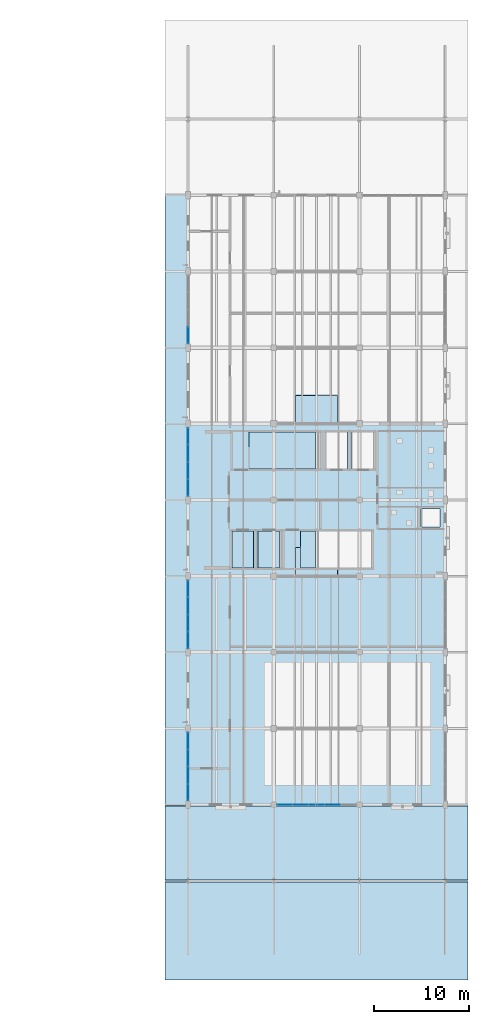
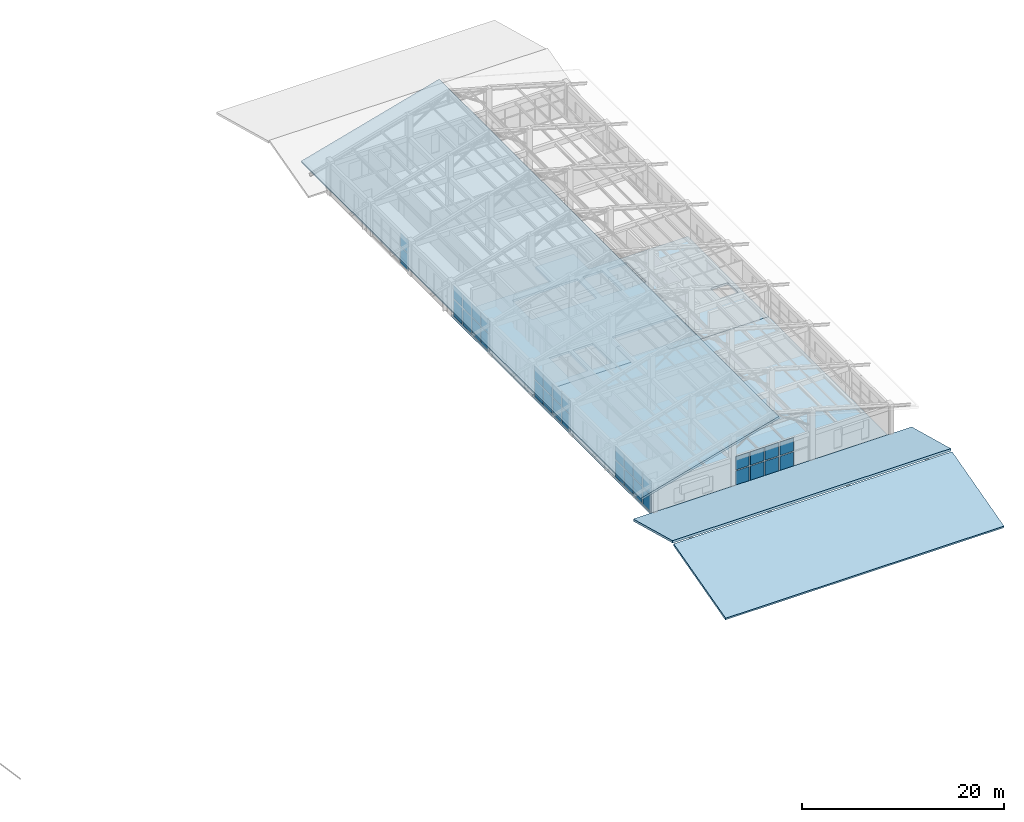
# One storey, part 44 of 58: 34 plates, 5 slabs, 7 elements without a shape of their own.
"""IFC4 building model written with IfcOpenShell, lengths in metres."""

from ifc_helpers import new_model, si_unit, derived_unit, direction, frame, origin, origin_2d, place, context, subcontext, project, spatial, polyline, rectangle, outline, extrude, material, layer, layer_set, type_object, element, aggregate, save


model = new_model("IFC4")

# Units and contexts
model_context = context("Model", 3, precision=1e-05, world=origin(), true_north=direction((0.0, 1.0)))
body_context = subcontext(model_context, "Body", "Model", "MODEL_VIEW")
ifc_project = project(units=[si_unit("LENGTHUNIT", "METRE"), si_unit("AREAUNIT", "SQUARE_METRE"), si_unit("VOLUMEUNIT", "CUBIC_METRE"), si_unit("PLANEANGLEUNIT", "RADIAN"), si_unit("MASSUNIT", "GRAM", prefix="KILO"), derived_unit("THERMALTRANSMITTANCEUNIT", [(si_unit("MASSUNIT", "GRAM", prefix="KILO"), 1), (si_unit("TIMEUNIT", "SECOND"), -3), (si_unit("THERMODYNAMICTEMPERATUREUNIT", "KELVIN"), -1)])], contexts=[model_context])

# Site, building, storey
site_placement = place(None, origin())
site = spatial("IfcSite", under=ifc_project, at=site_placement, CompositionType="ELEMENT")
building_placement = place(site_placement, origin())
building = spatial("IfcBuilding", under=site, at=building_placement, Name="Zhenchuan Archway Interchange", CompositionType="ELEMENT")
storey_placement = place(building_placement, frame((0.0, 0.0, 22.800048828125)))
storey = spatial("IfcBuildingStorey", under=building, at=storey_placement, Name="L05", CompositionType="ELEMENT", Elevation=22.800048828125)

# Curtain wall, plates
ifc_material_1 = material(Name="Anodised Aluminium", Category="aluminium")
curtain_wall_type_1 = type_object("IfcCurtainWallType", Name="CW_UNIT_1", PredefinedType="NOTDEFINED", material=ifc_material_1)
curtain_wall_1_placement = place(storey_placement, origin())
curtain_wall_1 = element("IfcCurtainWall", 1, at=curtain_wall_1_placement, inside=storey, type_object=curtain_wall_type_1, Name="Unitised curtain wall CW:L05:200", PredefinedType="NOTDEFINED")
ifc_material_2 = material(Name="Double Low-E Insulated Glazing", Category="glass")
ifc_layer_1 = layer(ifc_material_2, 0.028076171875)
ifc_layer_set_1 = layer_set([ifc_layer_1], Name="Double Low-E Insulated Glazing")
plate_type_1 = type_object("IfcPlateType", Name="CW_GLZ_1", PredefinedType="CURTAIN_PANEL", material=ifc_layer_set_1)
plate_1_placement = place(storey_placement, frame((159.19287109375, 24.0, 0.080078125), z_axis=(0.0, 0.0, 1.0), x_axis=(-1.0, 0.0, 0.0)))
plate_1 = element("IfcPlate", 2, at=plate_1_placement, type_object=plate_type_1, Name="CW:L05:200 lower glazing panel 1", PredefinedType="CURTAIN_PANEL", context=body_context, shape_type="SweptSolid", body=[
    extrude(rectangle(XDim=1.552734375, YDim=0.028076171875, at=origin_2d()), origin(), (0.0, 0.0, 1.0), 2.0048828125),
])
plate_2_placement = place(storey_placement, frame((157.5, 24.0, 0.080078125), z_axis=(0.0, 0.0, 1.0), x_axis=(-1.0, 0.0, 0.0)))
plate_2 = element("IfcPlate", 3, at=plate_2_placement, type_object=plate_type_1, Name="CW:L05:200 lower glazing panel 2", PredefinedType="CURTAIN_PANEL", context=body_context, shape_type="SweptSolid", body=[
    extrude(rectangle(XDim=1.552734375, YDim=0.028076171875, at=origin_2d()), origin(), (0.0, 0.0, 1.0), 2.0048828125),
])
plate_3_placement = place(storey_placement, frame((155.80712890625, 24.0, 0.080078125), z_axis=(0.0, 0.0, 1.0), x_axis=(-1.0, 0.0, 0.0)))
plate_3 = element("IfcPlate", 4, at=plate_3_placement, type_object=plate_type_1, Name="CW:L05:200 lower glazing panel 3", PredefinedType="CURTAIN_PANEL", context=body_context, shape_type="SweptSolid", body=[
    extrude(rectangle(XDim=1.552734375, YDim=0.028076171875, at=origin_2d()), origin(), (0.0, 0.0, 1.0), 2.0048828125),
])
plate_4_placement = place(storey_placement, frame((154.12451171875, 24.0, 0.080078125), z_axis=(0.0, 0.0, 1.0), x_axis=(-1.0, 0.0, 0.0)))
plate_4 = element("IfcPlate", 5, at=plate_4_placement, type_object=plate_type_1, Name="CW:L05:200 lower glazing panel 4", PredefinedType="CURTAIN_PANEL", context=body_context, shape_type="SweptSolid", body=[
    extrude(rectangle(XDim=1.53271484375, YDim=0.028076171875, at=origin_2d()), origin(), (0.0, 0.0, 1.0), 2.0048828125),
])
ifc_layer_2 = layer(ifc_material_2, 0.02587890625)
ifc_layer_set_2 = layer_set([ifc_layer_2], Name="Double Low-E Insulated Glazing")
plate_type_2 = type_object("IfcPlateType", Name="CW_GLZ_2", PredefinedType="CURTAIN_PANEL", material=ifc_layer_set_2)
plate_5_placement = place(storey_placement, frame((159.19287109375, 24.0, 2.205078125), z_axis=(0.0, 0.0, 1.0), x_axis=(-1.0, 0.0, 0.0)))
plate_5 = element("IfcPlate", 6, at=plate_5_placement, type_object=plate_type_2, Name="CW:L05:200 upper glazing panel 1", PredefinedType="CURTAIN_PANEL", context=body_context, shape_type="SweptSolid", body=[
    extrude(rectangle(XDim=1.552734375, YDim=0.02587890625, at=origin_2d()), origin(), (0.0, 0.0, 1.0), 1.614990234375),
])
plate_6_placement = place(storey_placement, frame((157.5, 24.0, 2.205078125), z_axis=(0.0, 0.0, 1.0), x_axis=(-1.0, 0.0, 0.0)))
plate_6 = element("IfcPlate", 7, at=plate_6_placement, type_object=plate_type_2, Name="CW:L05:200 upper glazing panel 2", PredefinedType="CURTAIN_PANEL", context=body_context, shape_type="SweptSolid", body=[
    extrude(rectangle(XDim=1.552734375, YDim=0.02587890625, at=origin_2d()), origin(), (0.0, 0.0, 1.0), 1.614990234375),
])
plate_7_placement = place(storey_placement, frame((155.80712890625, 24.0, 2.205078125), z_axis=(0.0, 0.0, 1.0), x_axis=(-1.0, 0.0, 0.0)))
plate_7 = element("IfcPlate", 8, at=plate_7_placement, type_object=plate_type_2, Name="CW:L05:200 upper glazing panel 3", PredefinedType="CURTAIN_PANEL", context=body_context, shape_type="SweptSolid", body=[
    extrude(rectangle(XDim=1.552734375, YDim=0.02587890625, at=origin_2d()), origin(), (0.0, 0.0, 1.0), 1.614990234375),
])
plate_8_placement = place(storey_placement, frame((154.12451171875, 24.0, 2.205078125), z_axis=(0.0, 0.0, 1.0), x_axis=(-1.0, 0.0, 0.0)))
plate_8 = element("IfcPlate", 9, at=plate_8_placement, type_object=plate_type_2, Name="CW:L05:200 upper glazing panel 4", PredefinedType="CURTAIN_PANEL", context=body_context, shape_type="SweptSolid", body=[
    extrude(rectangle(XDim=1.53271484375, YDim=0.02587890625, at=origin_2d()), origin(), (0.0, 0.0, 1.0), 1.614990234375),
])
aggregate(curtain_wall_1, [plate_1, plate_5, plate_2, plate_6, plate_3, plate_7, plate_4, plate_8])

curtain_wall_type_2 = type_object("IfcCurtainWallType", Name="CW_UNIT_2", PredefinedType="NOTDEFINED", material=ifc_material_1)
curtain_wall_2_placement = place(storey_placement, origin())
curtain_wall_2 = element("IfcCurtainWall", 10, at=curtain_wall_2_placement, inside=storey, type_object=curtain_wall_type_2, Name="Unitised curtain wall CW:L05:201", PredefinedType="NOTDEFINED")
ifc_layer_3 = layer(ifc_material_2, 0.030029296875)
ifc_layer_set_3 = layer_set([ifc_layer_3], Name="Double Low-E Insulated Glazing")
plate_type_3 = type_object("IfcPlateType", Name="CW_GLZ_3", PredefinedType="CURTAIN_PANEL", material=ifc_layer_set_3)
plate_9_placement = place(storey_placement, frame((144.0, 25.285888671875, 0.080078125), z_axis=(0.0, 0.0, 1.0), x_axis=(0.0, 1.0, 0.0)))
plate_9 = element("IfcPlate", 11, at=plate_9_placement, type_object=plate_type_3, Name="CW:L05:201 lower glazing panel 0", PredefinedType="CURTAIN_PANEL", context=body_context, shape_type="SweptSolid", body=[
    extrude(rectangle(XDim=1.656005859375, YDim=0.028076171875, at=origin_2d()), origin(), (0.0, 0.0, 1.0), 2.0048828125),
])
plate_10_placement = place(storey_placement, frame((144.0, 27.092041015625, 0.080078125), z_axis=(0.0, 0.0, 1.0), x_axis=(0.0, 1.0, 0.0)))
plate_10 = element("IfcPlate", 12, at=plate_10_placement, type_object=plate_type_3, Name="CW:L05:201 lower glazing panel 1", PredefinedType="CURTAIN_PANEL", context=body_context, shape_type="SweptSolid", body=[
    extrude(rectangle(XDim=1.676025390625, YDim=0.028076171875, at=origin_2d()), origin(), (0.0, 0.0, 1.0), 2.0048828125),
])
plate_11_placement = place(storey_placement, frame((144.0, 28.907958984375, 0.080078125), z_axis=(0.0, 0.0, 1.0), x_axis=(0.0, 1.0, 0.0)))
plate_11 = element("IfcPlate", 13, at=plate_11_placement, type_object=plate_type_3, Name="CW:L05:201 lower glazing panel 2", PredefinedType="CURTAIN_PANEL", context=body_context, shape_type="SweptSolid", body=[
    extrude(rectangle(XDim=1.676025390625, YDim=0.028076171875, at=origin_2d()), origin(), (0.0, 0.0, 1.0), 2.0048828125),
])
plate_12_placement = place(storey_placement, frame((144.0, 30.714111328125, 0.080078125), z_axis=(0.0, 0.0, 1.0), x_axis=(0.0, 1.0, 0.0)))
plate_12 = element("IfcPlate", 14, at=plate_12_placement, type_object=plate_type_3, Name="CW:L05:201 lower glazing panel 3", PredefinedType="CURTAIN_PANEL", context=body_context, shape_type="SweptSolid", body=[
    extrude(rectangle(XDim=1.656005859375, YDim=0.028076171875, at=origin_2d()), origin(), (0.0, 0.0, 1.0), 2.0048828125),
])

curtain_wall_type_3 = type_object("IfcCurtainWallType", Name="CW_UNIT_3", PredefinedType="NOTDEFINED", material=ifc_material_1)
curtain_wall_3_placement = place(storey_placement, origin())
curtain_wall_3 = element("IfcCurtainWall", 15, at=curtain_wall_3_placement, inside=storey, type_object=curtain_wall_type_3, Name="Unitised curtain wall CW:L05:202", PredefinedType="NOTDEFINED")
plate_13_placement = place(storey_placement, frame((144.0, 41.285888671875, 0.080078125), z_axis=(0.0, 0.0, 1.0), x_axis=(0.0, 1.0, 0.0)))
plate_13 = element("IfcPlate", 16, at=plate_13_placement, type_object=plate_type_3, Name="CW:L05:202 lower glazing panel 0", PredefinedType="CURTAIN_PANEL", context=body_context, shape_type="SweptSolid", body=[
    extrude(rectangle(XDim=1.656005859375, YDim=0.028076171875, at=origin_2d()), origin(), (0.0, 0.0, 1.0), 2.0048828125),
])
plate_14_placement = place(storey_placement, frame((144.0, 43.092041015625, 0.080078125), z_axis=(0.0, 0.0, 1.0), x_axis=(0.0, 1.0, 0.0)))
plate_14 = element("IfcPlate", 17, at=plate_14_placement, type_object=plate_type_3, Name="CW:L05:202 lower glazing panel 1", PredefinedType="CURTAIN_PANEL", context=body_context, shape_type="SweptSolid", body=[
    extrude(rectangle(XDim=1.676025390625, YDim=0.028076171875, at=origin_2d()), origin(), (0.0, 0.0, 1.0), 2.0048828125),
])
plate_15_placement = place(storey_placement, frame((144.0, 44.907958984375, 0.080078125), z_axis=(0.0, 0.0, 1.0), x_axis=(0.0, 1.0, 0.0)))
plate_15 = element("IfcPlate", 18, at=plate_15_placement, type_object=plate_type_3, Name="CW:L05:202 lower glazing panel 2", PredefinedType="CURTAIN_PANEL", context=body_context, shape_type="SweptSolid", body=[
    extrude(rectangle(XDim=1.676025390625, YDim=0.028076171875, at=origin_2d()), origin(), (0.0, 0.0, 1.0), 2.0048828125),
])
plate_16_placement = place(storey_placement, frame((144.0, 46.714111328125, 0.080078125), z_axis=(0.0, 0.0, 1.0), x_axis=(0.0, 1.0, 0.0)))
plate_16 = element("IfcPlate", 19, at=plate_16_placement, type_object=plate_type_3, Name="CW:L05:202 lower glazing panel 3", PredefinedType="CURTAIN_PANEL", context=body_context, shape_type="SweptSolid", body=[
    extrude(rectangle(XDim=1.656005859375, YDim=0.028076171875, at=origin_2d()), origin(), (0.0, 0.0, 1.0), 2.0048828125),
])

curtain_wall_type_4 = type_object("IfcCurtainWallType", Name="CW_UNIT_4", PredefinedType="NOTDEFINED", material=ifc_material_1)
curtain_wall_4_placement = place(storey_placement, origin())
curtain_wall_4 = element("IfcCurtainWall", 20, at=curtain_wall_4_placement, inside=storey, type_object=curtain_wall_type_4, Name="Unitised curtain wall CW:L05:203", PredefinedType="NOTDEFINED")
plate_17_placement = place(storey_placement, frame((144.0, 57.285888671875, 0.080078125), z_axis=(0.0, 0.0, 1.0), x_axis=(0.0, 1.0, 0.0)))
plate_17 = element("IfcPlate", 21, at=plate_17_placement, type_object=plate_type_3, Name="CW:L05:203 lower glazing panel 0", PredefinedType="CURTAIN_PANEL", context=body_context, shape_type="SweptSolid", body=[
    extrude(rectangle(XDim=1.656005859375, YDim=0.028076171875, at=origin_2d()), origin(), (0.0, 0.0, 1.0), 2.0048828125),
])
plate_18_placement = place(storey_placement, frame((144.0, 59.092041015625, 0.080078125), z_axis=(0.0, 0.0, 1.0), x_axis=(0.0, 1.0, 0.0)))
plate_18 = element("IfcPlate", 22, at=plate_18_placement, type_object=plate_type_3, Name="CW:L05:203 lower glazing panel 1", PredefinedType="CURTAIN_PANEL", context=body_context, shape_type="SweptSolid", body=[
    extrude(rectangle(XDim=1.676025390625, YDim=0.028076171875, at=origin_2d()), origin(), (0.0, 0.0, 1.0), 2.0048828125),
])
plate_19_placement = place(storey_placement, frame((144.0, 60.907958984375, 0.080078125), z_axis=(0.0, 0.0, 1.0), x_axis=(0.0, 1.0, 0.0)))
plate_19 = element("IfcPlate", 23, at=plate_19_placement, type_object=plate_type_3, Name="CW:L05:203 lower glazing panel 2", PredefinedType="CURTAIN_PANEL", context=body_context, shape_type="SweptSolid", body=[
    extrude(rectangle(XDim=1.676025390625, YDim=0.028076171875, at=origin_2d()), origin(), (0.0, 0.0, 1.0), 2.0048828125),
])
plate_20_placement = place(storey_placement, frame((144.0, 62.714111328125, 0.080078125), z_axis=(0.0, 0.0, 1.0), x_axis=(0.0, 1.0, 0.0)))
plate_20 = element("IfcPlate", 24, at=plate_20_placement, type_object=plate_type_3, Name="CW:L05:203 lower glazing panel 3", PredefinedType="CURTAIN_PANEL", context=body_context, shape_type="SweptSolid", body=[
    extrude(rectangle(XDim=1.656005859375, YDim=0.028076171875, at=origin_2d()), origin(), (0.0, 0.0, 1.0), 2.0048828125),
])

# Curtain wall, plate
curtain_wall_5_placement = place(storey_placement, origin())
curtain_wall_5 = element("IfcCurtainWall", 25, at=curtain_wall_5_placement, inside=storey, type_object=curtain_wall_type_1, Name="Unitised curtain wall CW:L05:204", PredefinedType="NOTDEFINED")
plate_21_placement = place(storey_placement, frame((144.0, 73.285888671875, 0.080078125), z_axis=(0.0, 0.0, 1.0), x_axis=(0.0, 1.0, 0.0)))
plate_21 = element("IfcPlate", 26, at=plate_21_placement, type_object=plate_type_3, Name="CW:L05:204 lower glazing panel 0", PredefinedType="CURTAIN_PANEL", context=body_context, shape_type="SweptSolid", body=[
    extrude(rectangle(XDim=1.656005859375, YDim=0.028076171875, at=origin_2d()), origin(), (0.0, 0.0, 1.0), 2.0048828125),
])

# Plate
ifc_layer_4 = layer(ifc_material_2, 0.02392578125)
ifc_layer_set_4 = layer_set([ifc_layer_4], Name="Double Low-E Insulated Glazing")
plate_type_4 = type_object("IfcPlateType", Name="CW_GLZ_4", PredefinedType="CURTAIN_PANEL", material=ifc_layer_set_4)
plate_22_placement = place(storey_placement, frame((144.0, 25.285888671875, 2.205078125), z_axis=(0.0, 0.0, 1.0), x_axis=(0.0, 1.0, 0.0)))
plate_22 = element("IfcPlate", 27, at=plate_22_placement, type_object=plate_type_4, Name="CW:L05:201 upper glazing panel 0", PredefinedType="CURTAIN_PANEL", context=body_context, shape_type="SweptSolid", body=[
    extrude(rectangle(XDim=1.656005859375, YDim=0.02587890625, at=origin_2d()), origin(), (0.0, 0.0, 1.0), 1.614990234375),
])

plate_23_placement = place(storey_placement, frame((144.0, 27.092041015625, 2.205078125), z_axis=(0.0, 0.0, 1.0), x_axis=(0.0, 1.0, 0.0)))
plate_23 = element("IfcPlate", 28, at=plate_23_placement, type_object=plate_type_4, Name="CW:L05:201 upper glazing panel 1", PredefinedType="CURTAIN_PANEL", context=body_context, shape_type="SweptSolid", body=[
    extrude(rectangle(XDim=1.676025390625, YDim=0.02587890625, at=origin_2d()), origin(), (0.0, 0.0, 1.0), 1.614990234375),
])

plate_24_placement = place(storey_placement, frame((144.0, 28.907958984375, 2.205078125), z_axis=(0.0, 0.0, 1.0), x_axis=(0.0, 1.0, 0.0)))
plate_24 = element("IfcPlate", 29, at=plate_24_placement, type_object=plate_type_4, Name="CW:L05:201 upper glazing panel 2", PredefinedType="CURTAIN_PANEL", context=body_context, shape_type="SweptSolid", body=[
    extrude(rectangle(XDim=1.676025390625, YDim=0.02587890625, at=origin_2d()), origin(), (0.0, 0.0, 1.0), 1.614990234375),
])

plate_25_placement = place(storey_placement, frame((144.0, 30.714111328125, 2.205078125), z_axis=(0.0, 0.0, 1.0), x_axis=(0.0, 1.0, 0.0)))
plate_25 = element("IfcPlate", 30, at=plate_25_placement, type_object=plate_type_4, Name="CW:L05:201 upper glazing panel 3", PredefinedType="CURTAIN_PANEL", context=body_context, shape_type="SweptSolid", body=[
    extrude(rectangle(XDim=1.656005859375, YDim=0.02587890625, at=origin_2d()), origin(), (0.0, 0.0, 1.0), 1.614990234375),
])

aggregate(curtain_wall_2, [plate_9, plate_22, plate_10, plate_23, plate_11, plate_24, plate_12, plate_25])

plate_26_placement = place(storey_placement, frame((144.0, 41.285888671875, 2.205078125), z_axis=(0.0, 0.0, 1.0), x_axis=(0.0, 1.0, 0.0)))
plate_26 = element("IfcPlate", 31, at=plate_26_placement, type_object=plate_type_4, Name="CW:L05:202 upper glazing panel 0", PredefinedType="CURTAIN_PANEL", context=body_context, shape_type="SweptSolid", body=[
    extrude(rectangle(XDim=1.656005859375, YDim=0.02587890625, at=origin_2d()), origin(), (0.0, 0.0, 1.0), 1.614990234375),
])

plate_27_placement = place(storey_placement, frame((144.0, 43.092041015625, 2.205078125), z_axis=(0.0, 0.0, 1.0), x_axis=(0.0, 1.0, 0.0)))
plate_27 = element("IfcPlate", 32, at=plate_27_placement, type_object=plate_type_4, Name="CW:L05:202 upper glazing panel 1", PredefinedType="CURTAIN_PANEL", context=body_context, shape_type="SweptSolid", body=[
    extrude(rectangle(XDim=1.676025390625, YDim=0.02587890625, at=origin_2d()), origin(), (0.0, 0.0, 1.0), 1.614990234375),
])

plate_28_placement = place(storey_placement, frame((144.0, 44.907958984375, 2.205078125), z_axis=(0.0, 0.0, 1.0), x_axis=(0.0, 1.0, 0.0)))
plate_28 = element("IfcPlate", 33, at=plate_28_placement, type_object=plate_type_4, Name="CW:L05:202 upper glazing panel 2", PredefinedType="CURTAIN_PANEL", context=body_context, shape_type="SweptSolid", body=[
    extrude(rectangle(XDim=1.676025390625, YDim=0.02587890625, at=origin_2d()), origin(), (0.0, 0.0, 1.0), 1.614990234375),
])

plate_29_placement = place(storey_placement, frame((144.0, 46.714111328125, 2.205078125), z_axis=(0.0, 0.0, 1.0), x_axis=(0.0, 1.0, 0.0)))
plate_29 = element("IfcPlate", 34, at=plate_29_placement, type_object=plate_type_4, Name="CW:L05:202 upper glazing panel 3", PredefinedType="CURTAIN_PANEL", context=body_context, shape_type="SweptSolid", body=[
    extrude(rectangle(XDim=1.656005859375, YDim=0.02587890625, at=origin_2d()), origin(), (0.0, 0.0, 1.0), 1.614990234375),
])

aggregate(curtain_wall_3, [plate_13, plate_26, plate_14, plate_27, plate_15, plate_28, plate_16, plate_29])

plate_30_placement = place(storey_placement, frame((144.0, 57.285888671875, 2.205078125), z_axis=(0.0, 0.0, 1.0), x_axis=(0.0, 1.0, 0.0)))
plate_30 = element("IfcPlate", 35, at=plate_30_placement, type_object=plate_type_4, Name="CW:L05:203 upper glazing panel 0", PredefinedType="CURTAIN_PANEL", context=body_context, shape_type="SweptSolid", body=[
    extrude(rectangle(XDim=1.656005859375, YDim=0.02587890625, at=origin_2d()), origin(), (0.0, 0.0, 1.0), 1.614990234375),
])

plate_31_placement = place(storey_placement, frame((144.0, 59.092041015625, 2.205078125), z_axis=(0.0, 0.0, 1.0), x_axis=(0.0, 1.0, 0.0)))
plate_31 = element("IfcPlate", 36, at=plate_31_placement, type_object=plate_type_4, Name="CW:L05:203 upper glazing panel 1", PredefinedType="CURTAIN_PANEL", context=body_context, shape_type="SweptSolid", body=[
    extrude(rectangle(XDim=1.676025390625, YDim=0.02587890625, at=origin_2d()), origin(), (0.0, 0.0, 1.0), 1.614990234375),
])

plate_32_placement = place(storey_placement, frame((144.0, 60.907958984375, 2.205078125), z_axis=(0.0, 0.0, 1.0), x_axis=(0.0, 1.0, 0.0)))
plate_32 = element("IfcPlate", 37, at=plate_32_placement, type_object=plate_type_4, Name="CW:L05:203 upper glazing panel 2", PredefinedType="CURTAIN_PANEL", context=body_context, shape_type="SweptSolid", body=[
    extrude(rectangle(XDim=1.676025390625, YDim=0.02587890625, at=origin_2d()), origin(), (0.0, 0.0, 1.0), 1.614990234375),
])

plate_33_placement = place(storey_placement, frame((144.0, 62.714111328125, 2.205078125), z_axis=(0.0, 0.0, 1.0), x_axis=(0.0, 1.0, 0.0)))
plate_33 = element("IfcPlate", 38, at=plate_33_placement, type_object=plate_type_4, Name="CW:L05:203 upper glazing panel 3", PredefinedType="CURTAIN_PANEL", context=body_context, shape_type="SweptSolid", body=[
    extrude(rectangle(XDim=1.656005859375, YDim=0.02587890625, at=origin_2d()), origin(), (0.0, 0.0, 1.0), 1.614990234375),
])

aggregate(curtain_wall_4, [plate_17, plate_30, plate_18, plate_31, plate_19, plate_32, plate_20, plate_33])

plate_34_placement = place(storey_placement, frame((144.0, 73.285888671875, 2.205078125), z_axis=(0.0, 0.0, 1.0), x_axis=(0.0, 1.0, 0.0)))
plate_34 = element("IfcPlate", 39, at=plate_34_placement, type_object=plate_type_4, Name="CW:L05:204 upper glazing panel 0", PredefinedType="CURTAIN_PANEL", context=body_context, shape_type="SweptSolid", body=[
    extrude(rectangle(XDim=1.656005859375, YDim=0.02587890625, at=origin_2d()), origin(), (0.0, 0.0, 1.0), 1.614990234375),
])

aggregate(curtain_wall_5, [plate_21, plate_34])

# Slabs
ifc_material_3 = material(Name="Concrete C35", Category="concrete")
ifc_layer_5 = layer(ifc_material_3, 0.260009765625)
ifc_layer_set_5 = layer_set([ifc_layer_5], Name="Concrete C35")
slab_type_1 = type_object("IfcSlabType", Name="SLB_FLR_260", PredefinedType="FLOOR", material=ifc_layer_set_5)
slab_1_placement = place(storey_placement, frame((0.0, 0.0, -0.260009765625)))
element("IfcSlab", 40, at=slab_1_placement, inside=storey, type_object=slab_type_1, Name="Structural slab L05 CMD-S", PredefinedType="FLOOR", context=body_context, shape_type="SweptSolid", body=[
    extrude(outline(polyline([(171.0, 24.0), (144.0, 24.0), (144.0, 48.0), (155.302001953125, 48.0), (155.302001953125, 50.998046875), (155.824951171875, 50.998046875), (155.824951171875, 48.875), (159.697998046875, 48.875), (159.697998046875, 48.0), (171.0, 48.0), (171.0, 24.0)])), origin(), (0.0, 0.0, 1.0), 0.260009765625),
])
slab_2_placement = place(storey_placement, frame((0.0, 0.0, -0.260009765625)))
element("IfcSlab", 41, at=slab_2_placement, inside=storey, type_object=slab_type_1, Name="Structural slab L05 CMD-M", PredefinedType="FLOOR", context=body_context, shape_type="SweptSolid", body=[
    extrude(outline(polyline([(159.699951171875, 48.0), (159.699951171875, 48.875), (163.27490234375, 48.875), (163.27490234375, 52.72509765625), (155.824951171875, 52.72509765625), (155.824951171875, 51.0), (155.300048828125, 51.0), (155.300048828125, 48.0), (144.0, 48.0), (144.0, 64.0), (155.302001953125, 64.0), (155.302001953125, 66.998046875), (159.697998046875, 66.998046875), (159.697998046875, 64.0), (171.0, 64.0), (171.0, 48.0), (159.699951171875, 48.0)]), holes=[polyline([(150.425048828125, 63.125), (150.425048828125, 59.27490234375), (157.875, 59.27490234375), (157.875, 63.125), (150.425048828125, 63.125)]), polyline([(160.72998046875, 59.27001953125), (160.72998046875, 63.1298828125), (158.469970703125, 63.1298828125), (158.469970703125, 59.27001953125), (160.72998046875, 59.27001953125)]), polyline([(161.219970703125, 59.27001953125), (163.47998046875, 59.27001953125), (163.47998046875, 63.1298828125), (161.219970703125, 63.1298828125), (161.219970703125, 59.27001953125)]), polyline([(148.6201171875, 52.72998046875), (148.6201171875, 48.8701171875), (150.8798828125, 48.8701171875), (150.8798828125, 52.72998046875), (148.6201171875, 52.72998046875)]), polyline([(153.6201171875, 52.72998046875), (151.360107421875, 52.72998046875), (151.360107421875, 48.8701171875), (153.6201171875, 48.8701171875), (153.6201171875, 52.72998046875)]), polyline([(170.449951171875, 53.14990234375), (170.449951171875, 55.10009765625), (168.449951171875, 55.10009765625), (168.449951171875, 53.14990234375), (170.449951171875, 53.14990234375)])]), origin(), (0.0, 0.0, 1.0), 0.260009765625),
])

# Roof, slabs
roof_type = type_object("IfcRoofType", Name="ROOF_LINGNAN_STORM", PredefinedType="GABLE_ROOF", material=ifc_material_3)
roof_1_placement = place(storey_placement, origin())
roof_1 = element("IfcRoof", 42, at=roof_1_placement, inside=storey, type_object=roof_type, Name="Transit Operations 5-storey east bar pitched roofs", PredefinedType="GABLE_ROOF")
ifc_layer_6 = layer(ifc_material_3, 0.260009765625)
ifc_layer_set_6 = layer_set([ifc_layer_6], Name="Concrete C35")
slab_type_2 = type_object("IfcSlabType", Name="SLB_ROOF_260", PredefinedType="ROOF", material=ifc_layer_set_6)
slab_3_placement = place(storey_placement, frame((141.60009765625, 5.60009765625, -0.429931640625), z_axis=(0.0, -0.258856100703, 0.965915896509), x_axis=(1.0, 0.0, 0.0)))
slab_3 = element("IfcSlab", 43, at=slab_3_placement, type_object=slab_type_2, Name="East bar south wing south storm roof slope", PredefinedType="ROOF", context=body_context, shape_type="SweptSolid", body=[
    extrude(outline(polyline([(0.0, 0.0), (31.7998046875, 0.0), (31.7998046875, 10.642526117856876), (0.0, 10.642526117856876), (0.0, 0.0)])), origin(), (0.0, 0.0, -1.0), 0.260009765625),
])
slab_4_placement = place(storey_placement, frame((141.60009765625, 16.1201171875, 2.552001953125), z_axis=(0.0, 0.258804949058, 0.965929603202), x_axis=(1.0, 0.0, 0.0)))
slab_4 = element("IfcSlab", 44, at=slab_4_placement, type_object=slab_type_2, Name="East bar south wing north storm roof slope", PredefinedType="ROOF", context=body_context, shape_type="SweptSolid", body=[
    extrude(outline(polyline([(0.0, 0.0), (31.7998046875, 0.0), (31.7998046875, 8.033469105070461), (0.0, 8.033469105070461), (0.0, 0.0)])), origin(), (0.0, 0.0, -1.0), 0.260009765625),
])
aggregate(roof_1, [slab_3, slab_4])

# Roof, slab
roof_2_placement = place(storey_placement, origin())
roof_2 = element("IfcRoof", 45, at=roof_2_placement, inside=storey, type_object=roof_type, Name="Transit Operations 6-storey central command storm roof", PredefinedType="GABLE_ROOF")
ifc_material_4 = material(Name="Concrete C40", Category="concrete")
ifc_layer_7 = layer(ifc_material_4, 0.280029296875)
ifc_layer_set_7 = layer_set([ifc_layer_7], Name="Concrete C40")
slab_type_3 = type_object("IfcSlabType", Name="SLB_ROOF_280", PredefinedType="ROOF", material=ifc_layer_set_7)
slab_5_placement = place(storey_placement, frame((141.60009765625, 22.39990234375, 3.86328125), z_axis=(-0.2676454015, 0.0, 0.963517482486), x_axis=(0.963517482486, 0.0, 0.2676454015)))
slab_5 = element("IfcSlab", 46, at=slab_5_placement, type_object=slab_type_3, Name="Central command wing west Lingnan storm roof slope", PredefinedType="ROOF", context=body_context, shape_type="SweptSolid", body=[
    extrude(outline(polyline([(0.0, 0.0), (16.37726916541078, 0.0), (16.37726916541078, 67.2001953125), (0.0, 67.2001953125), (0.0, 0.0)])), origin(), (0.0, 0.0, -1.0), 0.280029296875),
])
aggregate(roof_2, [slab_5])

save(model, "model.ifc")
